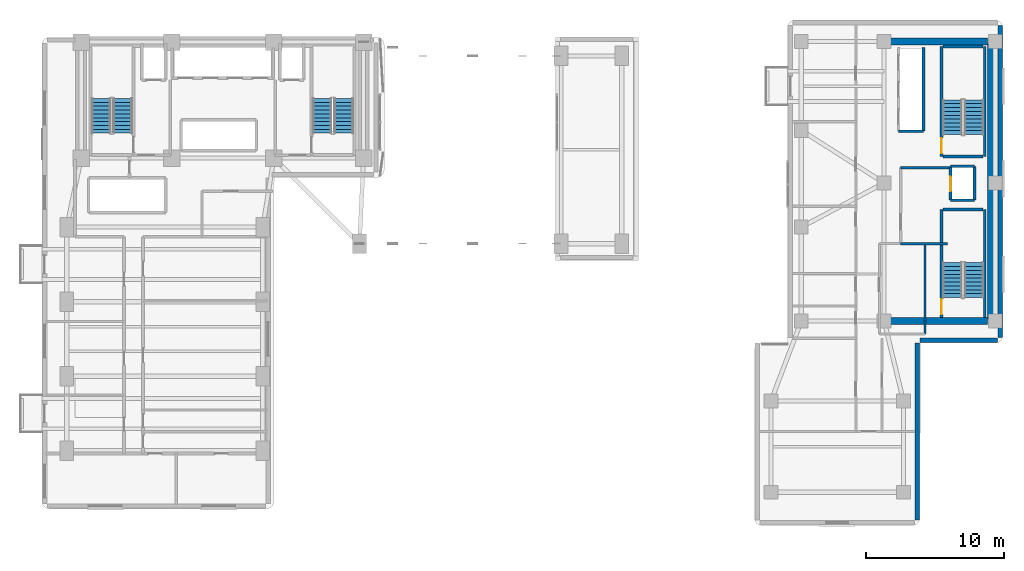
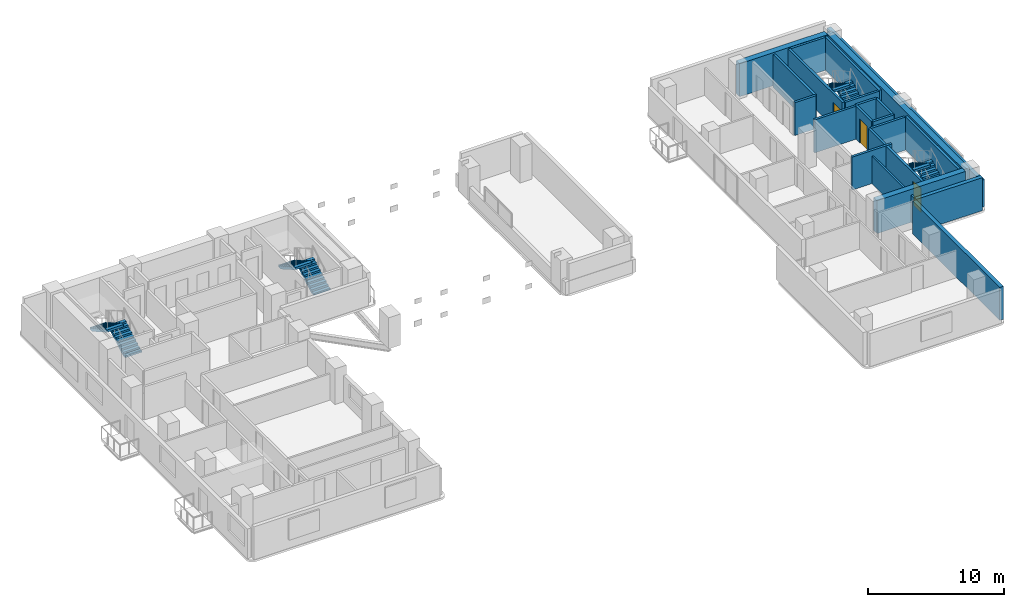
# One storey, part 11 of 14: 22 walls, 8 stair flights, 3 doors, 3 openings, 4 elements without a shape of their own.
"""IFC4 building model written with IfcOpenShell, lengths in metres."""

from ifc_helpers import new_model, si_unit, direction, frame, frame_2d, origin, place, context, subcontext, project, spatial, polyline, rectangle, outline, extrude, material, layer, layer_set, type_object, element, fill, aggregate, save


model = new_model("IFC4")

# Units and contexts
model_context = context("Model", 3, precision=1e-05, world=origin(), true_north=direction((0.0, 1.0)))
body_context = subcontext(model_context, "Body", "Model", "MODEL_VIEW")
ifc_project = project(units=[si_unit("LENGTHUNIT", "METRE"), si_unit("AREAUNIT", "SQUARE_METRE"), si_unit("VOLUMEUNIT", "CUBIC_METRE"), si_unit("PLANEANGLEUNIT", "RADIAN"), si_unit("MASSUNIT", "GRAM", prefix="KILO")], contexts=[model_context])

# Site, building, storey
site_placement = place(None, origin())
site = spatial("IfcSite", under=ifc_project, at=site_placement, CompositionType="ELEMENT")
building_placement = place(site_placement, origin())
building = spatial("IfcBuilding", under=site, at=building_placement, Name="Kuzgunbayir Cultural Tower", CompositionType="ELEMENT")
storey_placement = place(building_placement, frame((0.0, 0.0, 36.60009765625)))
storey = spatial("IfcBuildingStorey", under=building, at=storey_placement, Name="L09", CompositionType="ELEMENT", Elevation=36.60009765625)

# Walls
ifc_material_1 = material(Name="Travertine Buff Ashlar", Category="masonry")
ifc_layer_1 = layer(ifc_material_1, 0.320068359375)
ifc_layer_set_1 = layer_set([ifc_layer_1], Name="Travertine Buff Ashlar")
wall_type_1 = type_object("IfcWallType", Name="WAL-EXT-STONE-320", PredefinedType="STANDARD", material=ifc_layer_set_1)
wall_1_placement = place(storey_placement, frame((73.0, 20.800048828125, 0.0), z_axis=(0.0, 0.0, 1.0), x_axis=(0.0, 1.0, 0.0)))
element("IfcWall", 1, at=wall_1_placement, inside=storey, type_object=wall_type_1, Name="L09 Companion East Limestone Wall", PredefinedType="STANDARD", context=body_context, shape_type="SweptSolid", body=[
    extrude(rectangle(XDim=22.599853515625, YDim=0.320068359375, at=frame_2d((11.2998046875, 0.0))), origin(), (0.0, 0.0, 1.0), 2.449951171875),
])
wall_2_placement = place(storey_placement, frame((67.0, 7.60009765625, 0.0), z_axis=(0.0, 0.0, 1.0), x_axis=(0.0, 1.0, 0.0)))
element("IfcWall", 2, at=wall_2_placement, inside=storey, type_object=wall_type_1, Name="L09 Companion Wing B East Wall", PredefinedType="STANDARD", context=body_context, shape_type="SweptSolid", body=[
    extrude(rectangle(XDim=12.7998046875, YDim=0.320068359375, at=frame_2d((6.39990234375, 0.0))), origin(), (0.0, 0.0, 1.0), 2.9599609375),
])
wall_3_placement = place(storey_placement, frame((67.199951171875, 20.60009765625, 0.0), z_axis=(0.0, 0.0, 1.0), x_axis=(1.0, 0.0, 0.0)))
element("IfcWall", 3, at=wall_3_placement, inside=storey, type_object=wall_type_1, Name="L09 Companion South-East Link", PredefinedType="STANDARD", context=body_context, shape_type="SweptSolid", body=[
    extrude(rectangle(XDim=5.60009765625, YDim=0.320068359375, at=frame_2d((2.800048828125, 0.0))), origin(), (0.0, 0.0, 1.0), 2.9599609375),
])
ifc_material_2 = material(Name="Acoustic Double-Stud Drywall", Category="gypsum")
ifc_layer_2 = layer(ifc_material_2, 0.14990234375)
ifc_layer_set_2 = layer_set([ifc_layer_2], Name="Acoustic Double-Stud Drywall")
wall_type_2 = type_object("IfcWallType", Name="WAL-PART-ACOUSTIC-150", PredefinedType="PARTITIONING", material=ifc_layer_set_2)
wall_4_placement = place(storey_placement, frame((67.550048828125, 21.050048828125, 0.0), z_axis=(0.0, 0.0, 1.0), x_axis=(0.0, 1.0, 0.0)))
element("IfcWall", 4, at=wall_4_placement, inside=storey, type_object=wall_type_2, Name="L09 Companion Archive East Wall", PredefinedType="PARTITIONING", context=body_context, shape_type="SweptSolid", body=[
    extrude(rectangle(XDim=6.469970703125, YDim=0.14990234375, at=frame_2d((3.23486328125, 0.0))), origin(), (0.0, 0.0, 1.0), 2.449951171875),
])
ifc_material_3 = material(Name="Aerated Concrete Blockwork", Category="masonry")
ifc_layer_3 = layer(ifc_material_3, 0.199951171875)
ifc_layer_set_3 = layer_set([ifc_layer_3], Name="Aerated Concrete Blockwork")
wall_type_3 = type_object("IfcWallType", Name="WAL-PART-FIRE-200", PredefinedType="PARTITIONING", material=ifc_layer_set_3)
wall_5_placement = place(storey_placement, frame((65.800048828125, 33.10009765625, 0.0), z_axis=(0.0, 0.0, 1.0), x_axis=(1.0, 0.0, 0.0)))
element("IfcWall", 5, at=wall_5_placement, inside=storey, type_object=wall_type_3, Name="L09 FFL-3 Lobby North Fire Wall", PredefinedType="PARTITIONING", context=body_context, shape_type="SweptSolid", body=[
    extrude(rectangle(XDim=3.599853515625, YDim=0.199951171875, at=frame_2d((1.7998046875, 0.0))), origin(), (0.0, 0.0, 1.0), 2.9599609375),
])
wall_6_placement = place(storey_placement, frame((65.800048828125, 27.60009765625, 0.0), z_axis=(0.0, 0.0, 1.0), x_axis=(1.0, 0.0, 0.0)))
element("IfcWall", 6, at=wall_6_placement, inside=storey, type_object=wall_type_3, Name="L09 FFL-3 Lobby South Fire Wall", PredefinedType="PARTITIONING", context=body_context, shape_type="SweptSolid", body=[
    extrude(rectangle(XDim=3.39990234375, YDim=0.199951171875, at=frame_2d((1.699951171875, 0.0))), origin(), (0.0, 0.0, 1.0), 2.9599609375),
])
ifc_material_4 = material(Name="Concrete C40/50", Category="concrete")
ifc_layer_4 = layer(ifc_material_4, 0.199951171875)
ifc_layer_set_4 = layer_set([ifc_layer_4], Name="Concrete C40/50")
wall_type_4 = type_object("IfcWallType", Name="WAL-SHAFT-200", PredefinedType="MOVABLE", material=ifc_layer_set_4)
wall_7_placement = place(storey_placement, frame((67.449951171875, 35.75, 0.0), z_axis=(0.0, 0.0, 1.0), x_axis=(0.0, 1.0, 0.0)))
element("IfcWall", 7, at=wall_7_placement, inside=storey, type_object=wall_type_4, Name="L09 Companion Lift Shaft Back Wall", PredefinedType="MOVABLE", context=body_context, shape_type="SweptSolid", body=[
    extrude(rectangle(XDim=6.050048828125, YDim=0.199951171875, at=frame_2d((3.02490234375, 0.0))), origin(), (0.0, 0.0, 1.0), 2.9599609375),
])
wall_8_placement = place(storey_placement, frame((65.64990234375, 35.75, 0.0), z_axis=(0.0, 0.0, 1.0), x_axis=(1.0, 0.0, 0.0)))
element("IfcWall", 8, at=wall_8_placement, inside=storey, type_object=wall_type_4, Name="L09 Companion Lift Shaft South Wall", PredefinedType="MOVABLE", context=body_context, shape_type="SweptSolid", body=[
    extrude(rectangle(XDim=1.800048828125, YDim=0.199951171875, at=frame_2d((0.89990234375, 0.0))), origin(), (0.0, 0.0, 1.0), 2.9599609375),
])

# Wall, opening, door
wall_9_placement = place(storey_placement, frame((69.39990234375, 30.75, 0.0), z_axis=(0.0, 0.0, 1.0), x_axis=(0.0, 1.0, 0.0)))
wall_9 = element("IfcWall", 9, at=wall_9_placement, inside=storey, type_object=wall_type_4, Name="L09 FFL-3 Lift Front Wall", PredefinedType="MOVABLE", context=body_context, shape_type="SweptSolid", body=[
    extrude(rectangle(XDim=2.449951171875, YDim=0.199951171875, at=frame_2d((1.22509765625, 0.0))), origin(), (0.0, 0.0, 1.0), 2.9599609375),
])
opening_1_placement = place(wall_9_placement, frame((0.64990234375, 0.0, 0.0)))
opening_1 = element("IfcOpeningElement", 10, at=opening_1_placement, cuts=wall_9, Name="Opening LD", PredefinedType="OPENING", context=body_context, shape_type="SweptSolid", body=[
    extrude(rectangle(XDim=1.050048828125, YDim=2.14990234375, at=frame_2d((0.52490234375, 1.074951171875))), frame((0.0, 0.10986328125, 0.0), z_axis=(0.0, -1.0, 0.0), x_axis=(1.0, 0.0, 0.0)), (0.0, 0.0, 1.0), 0.219970703125),
])
ifc_material_5 = material(Name="Brushed Stainless Steel", Category="steel")
door_type_1 = type_object("IfcDoorType", Name="DR-LIFT-LANDING", OperationType="SLIDING_TO_LEFT", PredefinedType="DOOR", material=ifc_material_5)
door_1_placement = place(opening_1_placement, origin())
door_1 = element("IfcDoor", 11, at=door_1_placement, inside=storey, type_object=door_type_1, Name="L09 Lift FFL-3 Landing Door", OperationType="SLIDING_TO_LEFT", OverallHeight=2.14990234375, OverallWidth=1.050048828125, PredefinedType="DOOR", context=body_context, shape_type="SweptSolid", body=[
    extrude(rectangle(XDim=1.050048828125, YDim=2.14990234375, at=frame_2d((0.52490234375, 1.074951171875))), frame((0.0, 0.02490234375, 0.0), z_axis=(0.0, -1.0, 0.0), x_axis=(1.0, 0.0, 0.0)), (0.0, 0.0, 1.0), 0.050048828125),
])
fill(opening_1, door_1)

# Walls
wall_10_placement = place(storey_placement, frame((71.14990234375, 30.75, 0.0), z_axis=(0.0, 0.0, 1.0), x_axis=(0.0, 1.0, 0.0)))
element("IfcWall", 12, at=wall_10_placement, inside=storey, type_object=wall_type_4, Name="L09 FFL-3 Shaft Back Wall", PredefinedType="MOVABLE", context=body_context, shape_type="SweptSolid", body=[
    extrude(rectangle(XDim=2.449951171875, YDim=0.199951171875, at=frame_2d((1.22509765625, 0.0))), origin(), (0.0, 0.0, 1.0), 2.9599609375),
])
for number, where, z_axis, x_axis, name in (
    (13, (69.39990234375, 33.199951171875, 0.0), (0.0, 0.0, 1.0), (1.0, 0.0, 0.0), "L09 FFL-3 Shaft North Wall"),
    (14, (69.39990234375, 30.75, 0.0), (0.0, 0.0, 1.0), (1.0, 0.0, 0.0), "L09 FFL-3 Shaft South Wall"),
):
    element("IfcWall", number, at=place(storey_placement, frame(where, z_axis=z_axis, x_axis=x_axis)), inside=storey, type_object=wall_type_4, Name=name, PredefinedType="MOVABLE", context=body_context, shape_type="SweptSolid", body=[
        extrude(rectangle(XDim=1.75, YDim=0.199951171875, at=frame_2d((0.875, 0.0))), origin(), (0.0, 0.0, 1.0), 2.9599609375),
    ])

# Wall, opening, door
ifc_layer_5 = layer(ifc_material_4, 0.199951171875)
ifc_layer_set_5 = layer_set([ifc_layer_5], Name="Concrete C40/50")
wall_type_5 = type_object("IfcWallType", Name="WAL-STAIR-RC-200", PredefinedType="SHEAR", material=ifc_layer_set_5)
wall_11_placement = place(storey_placement, frame((68.760009765625, 22.260009765625, 0.0), z_axis=(0.0, 0.0, 1.0), x_axis=(0.0, 1.0, 0.0)))
wall_11 = element("IfcWall", 15, at=wall_11_placement, inside=storey, type_object=wall_type_5, Name="L09 Stair ST-3 West Structural Wall", PredefinedType="SHEAR", context=body_context, shape_type="SweptSolid", body=[
    extrude(rectangle(XDim=7.820068359375, YDim=0.199951171875, at=frame_2d((3.91015625, 0.0))), origin(), (0.0, 0.0, 1.0), 2.9599609375),
])
opening_2_placement = place(wall_11_placement, frame((0.219970703125, 0.0, 0.0)))
opening_2 = element("IfcOpeningElement", 16, at=opening_2_placement, cuts=wall_11, Name="Opening DR-STAIR-90", PredefinedType="OPENING", context=body_context, shape_type="SweptSolid", body=[
    extrude(rectangle(XDim=1.10009765625, YDim=2.14990234375, at=frame_2d((0.550048828125, 1.074951171875))), frame((0.0, 0.10986328125, 0.0), z_axis=(0.0, -1.0, 0.0), x_axis=(1.0, 0.0, 0.0)), (0.0, 0.0, 1.0), 0.219970703125),
])
ifc_material_6 = material(Name="Steel S355J2", Category="steel")
door_type_2 = type_object("IfcDoorType", Name="DR-STAIR-90", OperationType="NOTDEFINED", PredefinedType="DOOR", material=ifc_material_6)
door_2_placement = place(opening_2_placement, origin())
door_2 = element("IfcDoor", 17, at=door_2_placement, inside=storey, type_object=door_type_2, Name="L09 Stair ST-3 Fire Door", OperationType="SINGLE_SWING_LEFT", OverallHeight=2.14990234375, OverallWidth=1.10009765625, PredefinedType="DOOR", context=body_context, shape_type="SweptSolid", body=[
    extrude(rectangle(XDim=1.10009765625, YDim=2.14990234375, at=frame_2d((0.550048828125, 1.074951171875))), frame((0.0, 0.02490234375, 0.0), z_axis=(0.0, -1.0, 0.0), x_axis=(1.0, 0.0, 0.0)), (0.0, 0.0, 1.0), 0.050048828125),
])
fill(opening_2, door_2)

# Walls
wall_12_placement = place(storey_placement, frame((71.8798828125, 22.260009765625, 0.0), z_axis=(0.0, 0.0, 1.0), x_axis=(0.0, 1.0, 0.0)))
element("IfcWall", 18, at=wall_12_placement, inside=storey, type_object=wall_type_5, Name="L09 Stair ST-3 East Structural Wall", PredefinedType="SHEAR", context=body_context, shape_type="SweptSolid", body=[
    extrude(rectangle(XDim=7.820068359375, YDim=0.199951171875, at=frame_2d((3.91015625, 0.0))), origin(), (0.0, 0.0, 1.0), 2.9599609375),
])
wall_13_placement = place(storey_placement, frame((68.8798828125, 30.080078125, 0.0), z_axis=(0.0, 0.0, 1.0), x_axis=(1.0, 0.0, 0.0)))
element("IfcWall", 19, at=wall_13_placement, inside=storey, type_object=wall_type_5, Name="L09 Stair ST-3 North Structural Wall", PredefinedType="SHEAR", context=body_context, shape_type="SweptSolid", body=[
    extrude(rectangle(XDim=2.880126953125, YDim=0.199951171875, at=frame_2d((1.43994140625, 0.0))), origin(), (0.0, 0.0, 1.0), 2.9599609375),
])

# Wall, opening, door
wall_14_placement = place(storey_placement, frame((68.760009765625, 33.919921875, 0.0), z_axis=(0.0, 0.0, 1.0), x_axis=(0.0, 1.0, 0.0)))
wall_14 = element("IfcWall", 20, at=wall_14_placement, inside=storey, type_object=wall_type_5, Name="L09 Stair ST-4 West Structural Wall", PredefinedType="SHEAR", context=body_context, shape_type="SweptSolid", body=[
    extrude(rectangle(XDim=7.9599609375, YDim=0.199951171875, at=frame_2d((3.97998046875, 0.0))), origin(), (0.0, 0.0, 1.0), 2.9599609375),
])
opening_3_placement = place(wall_14_placement, frame((0.219970703125, 0.0, 0.0)))
opening_3 = element("IfcOpeningElement", 21, at=opening_3_placement, cuts=wall_14, Name="Opening DR-STAIR-90", PredefinedType="OPENING", context=body_context, shape_type="SweptSolid", body=[
    extrude(rectangle(XDim=1.10009765625, YDim=2.14990234375, at=frame_2d((0.550048828125, 1.074951171875))), frame((0.0, 0.10986328125, 0.0), z_axis=(0.0, -1.0, 0.0), x_axis=(1.0, 0.0, 0.0)), (0.0, 0.0, 1.0), 0.219970703125),
])
door_3_placement = place(opening_3_placement, origin())
door_3 = element("IfcDoor", 22, at=door_3_placement, inside=storey, type_object=door_type_2, Name="L09 Stair ST-4 Fire Door", OperationType="SINGLE_SWING_RIGHT", OverallHeight=2.14990234375, OverallWidth=1.10009765625, PredefinedType="DOOR", context=body_context, shape_type="SweptSolid", body=[
    extrude(rectangle(XDim=1.10009765625, YDim=2.14990234375, at=frame_2d((0.550048828125, 1.074951171875))), frame((0.0, 0.02490234375, 0.0), z_axis=(0.0, -1.0, 0.0), x_axis=(1.0, 0.0, 0.0)), (0.0, 0.0, 1.0), 0.050048828125),
])
fill(opening_3, door_3)

# Walls
wall_15_placement = place(storey_placement, frame((71.8798828125, 33.919921875, 0.0), z_axis=(0.0, 0.0, 1.0), x_axis=(0.0, 1.0, 0.0)))
element("IfcWall", 23, at=wall_15_placement, inside=storey, type_object=wall_type_5, Name="L09 Stair ST-4 East Structural Wall", PredefinedType="SHEAR", context=body_context, shape_type="SweptSolid", body=[
    extrude(rectangle(XDim=7.9599609375, YDim=0.199951171875, at=frame_2d((3.97998046875, 0.0))), origin(), (0.0, 0.0, 1.0), 2.9599609375),
])
for number, where, z_axis, x_axis, name in (
    (24, (68.8798828125, 41.8798828125, 0.0), (0.0, 0.0, 1.0), (1.0, 0.0, 0.0), "L09 Stair ST-4 North Structural Wall"),
    (25, (68.8798828125, 33.919921875, 0.0), (0.0, 0.0, 1.0), (1.0, 0.0, 0.0), "L09 Stair ST-4 South Structural Wall"),
):
    element("IfcWall", number, at=place(storey_placement, frame(where, z_axis=z_axis, x_axis=x_axis)), inside=storey, type_object=wall_type_5, Name=name, PredefinedType="SHEAR", context=body_context, shape_type="SweptSolid", body=[
        extrude(rectangle(XDim=2.880126953125, YDim=0.199951171875, at=frame_2d((1.43994140625, 0.0))), origin(), (0.0, 0.0, 1.0), 2.9599609375),
    ])
ifc_material_7 = material(Name="Concrete C60/75", Category="concrete")
ifc_layer_6 = layer(ifc_material_7, 0.5)
ifc_layer_set_6 = layer_set([ifc_layer_6], Name="Concrete C60/75")
wall_type_6 = type_object("IfcWallType", Name="WAL-T2-CORE-500", PredefinedType="SHEAR", material=ifc_layer_set_6)
wall_16_placement = place(storey_placement, frame((72.35009765625, 22.0, 0.0), z_axis=(0.0, 0.0, 1.0), x_axis=(0.0, 1.0, 0.0)))
element("IfcWall", 26, at=wall_16_placement, inside=storey, type_object=wall_type_6, Name="L09 Companion Core East Shear Wall", PredefinedType="SHEAR", context=body_context, shape_type="SweptSolid", body=[
    extrude(rectangle(XDim=20.25, YDim=0.5, at=frame_2d((10.125, 0.0))), origin(), (0.0, 0.0, 1.0), 2.9599609375),
])
for number, where, z_axis, x_axis, name in (
    (27, (64.60009765625, 42.25, 0.0), (0.0, 0.0, 1.0), (1.0, 0.0, 0.0), "L09 Companion Core North Shear Wall"),
    (28, (64.60009765625, 22.0, 0.0), (0.0, 0.0, 1.0), (1.0, 0.0, 0.0), "L09 Companion Core South Shear Wall"),
):
    element("IfcWall", number, at=place(storey_placement, frame(where, z_axis=z_axis, x_axis=x_axis)), inside=storey, type_object=wall_type_6, Name=name, PredefinedType="SHEAR", context=body_context, shape_type="SweptSolid", body=[
        extrude(rectangle(XDim=7.5, YDim=0.5, at=frame_2d((3.75, 0.0))), origin(), (0.0, 0.0, 1.0), 2.9599609375),
    ])

# Stair, stair flights
stair_type = type_object("IfcStairType", Name="STR-EXIT-CORE", PredefinedType="HALF_TURN_STAIR", material=ifc_material_4)
stair_1_placement = place(storey_placement, origin())
stair_1 = element("IfcStair", 29, at=stair_1_placement, inside=storey, type_object=stair_type, Name="L09 ST-1", PredefinedType="HALF_TURN_STAIR")
stair_flight_type = type_object("IfcStairFlightType", Name="STRF-RC-140", PredefinedType="STRAIGHT", material=ifc_material_4)
stair_flight_1_placement = place(storey_placement, frame((9.4599609375, 35.60009765625, 0.0), z_axis=(0.0, 0.0, 1.0), x_axis=(0.0, 1.0, 0.0)))
stair_flight_1 = element("IfcStairFlight", 30, at=stair_flight_1_placement, type_object=stair_flight_type, Name="ST-1 flight 1", NumberOfRisers=10, NumberOfTreads=9, PredefinedType="STRAIGHT", RiserHeight=0.16, TreadLength=0.28, context=body_context, shape_type="SweptSolid", body=[
    extrude(outline(polyline([(0.0, 0.0), (0.0, 0.159912109375), (0.280029296875, 0.159912109375), (0.280029296875, 0.320068359375), (0.56005859375, 0.320068359375), (0.56005859375, 0.47998046875), (0.840087890625, 0.47998046875), (0.840087890625, 0.639892578125), (1.1201171875, 0.639892578125), (1.1201171875, 0.800048828125), (1.39990234375, 0.800048828125), (1.39990234375, 0.9599609375), (1.679931640625, 0.9599609375), (1.679931640625, 1.1201171875), (1.9599609375, 1.1201171875), (1.9599609375, 1.280029296875), (2.239990234375, 1.280029296875), (2.239990234375, 1.43994140625), (2.52001953125, 1.43994140625), (2.52001953125, 1.60009765625), (2.52001953125, 1.232666015625), (0.362548828125, 0.0), (0.0, 0.0)])), frame((0.0, 0.699951171875, 0.0), z_axis=(0.0, -1.0, 0.0), x_axis=(1.0, 0.0, 0.0)), (0.0, 0.0, 1.0), 1.39990234375),
])
stair_flight_2_placement = place(storey_placement, frame((7.89990234375, 38.1201171875, 1.599853515625), z_axis=(0.0, 0.0, 1.0), x_axis=(0.0, -1.0, 0.0)))
stair_flight_2 = element("IfcStairFlight", 31, at=stair_flight_2_placement, type_object=stair_flight_type, Name="ST-1 flight 2", NumberOfRisers=10, NumberOfTreads=9, PredefinedType="STRAIGHT", RiserHeight=0.16, TreadLength=0.28, context=body_context, shape_type="SweptSolid", body=[
    extrude(outline(polyline([(0.0, 0.0), (0.0, 0.159912109375), (0.280029296875, 0.159912109375), (0.280029296875, 0.320068359375), (0.56005859375, 0.320068359375), (0.56005859375, 0.47998046875), (0.840087890625, 0.47998046875), (0.840087890625, 0.639892578125), (1.1201171875, 0.639892578125), (1.1201171875, 0.800048828125), (1.39990234375, 0.800048828125), (1.39990234375, 0.9599609375), (1.679931640625, 0.9599609375), (1.679931640625, 1.1201171875), (1.9599609375, 1.1201171875), (1.9599609375, 1.280029296875), (2.239990234375, 1.280029296875), (2.239990234375, 1.43994140625), (2.52001953125, 1.43994140625), (2.52001953125, 1.60009765625), (2.52001953125, 1.232666015625), (0.362548828125, 0.0), (0.0, 0.0)])), frame((0.0, 0.699951171875, 0.0), z_axis=(0.0, -1.0, 0.0), x_axis=(1.0, 0.0, 0.0)), (0.0, 0.0, 1.0), 1.39990234375),
])
aggregate(stair_1, [stair_flight_1, stair_flight_2])

stair_2_placement = place(storey_placement, origin())
stair_2 = element("IfcStair", 32, at=stair_2_placement, inside=storey, type_object=stair_type, Name="L09 ST-2", PredefinedType="HALF_TURN_STAIR")
stair_flight_3_placement = place(storey_placement, frame((25.4599609375, 35.60009765625, 0.0), z_axis=(0.0, 0.0, 1.0), x_axis=(0.0, 1.0, 0.0)))
stair_flight_3 = element("IfcStairFlight", 33, at=stair_flight_3_placement, type_object=stair_flight_type, Name="ST-2 flight 1", NumberOfRisers=10, NumberOfTreads=9, PredefinedType="STRAIGHT", RiserHeight=0.16, TreadLength=0.28, context=body_context, shape_type="SweptSolid", body=[
    extrude(outline(polyline([(0.0, 0.0), (0.0, 0.159912109375), (0.280029296875, 0.159912109375), (0.280029296875, 0.320068359375), (0.56005859375, 0.320068359375), (0.56005859375, 0.47998046875), (0.840087890625, 0.47998046875), (0.840087890625, 0.639892578125), (1.1201171875, 0.639892578125), (1.1201171875, 0.800048828125), (1.39990234375, 0.800048828125), (1.39990234375, 0.9599609375), (1.679931640625, 0.9599609375), (1.679931640625, 1.1201171875), (1.9599609375, 1.1201171875), (1.9599609375, 1.280029296875), (2.239990234375, 1.280029296875), (2.239990234375, 1.43994140625), (2.52001953125, 1.43994140625), (2.52001953125, 1.60009765625), (2.52001953125, 1.232666015625), (0.362548828125, 0.0), (0.0, 0.0)])), frame((0.0, 0.699951171875, 0.0), z_axis=(0.0, -1.0, 0.0), x_axis=(1.0, 0.0, 0.0)), (0.0, 0.0, 1.0), 1.39990234375),
])
stair_flight_4_placement = place(storey_placement, frame((23.89990234375, 38.1201171875, 1.599853515625), z_axis=(0.0, 0.0, 1.0), x_axis=(0.0, -1.0, 0.0)))
stair_flight_4 = element("IfcStairFlight", 34, at=stair_flight_4_placement, type_object=stair_flight_type, Name="ST-2 flight 2", NumberOfRisers=10, NumberOfTreads=9, PredefinedType="STRAIGHT", RiserHeight=0.16, TreadLength=0.28, context=body_context, shape_type="SweptSolid", body=[
    extrude(outline(polyline([(0.0, 0.0), (0.0, 0.159912109375), (0.280029296875, 0.159912109375), (0.280029296875, 0.320068359375), (0.56005859375, 0.320068359375), (0.56005859375, 0.47998046875), (0.840087890625, 0.47998046875), (0.840087890625, 0.639892578125), (1.1201171875, 0.639892578125), (1.1201171875, 0.800048828125), (1.39990234375, 0.800048828125), (1.39990234375, 0.9599609375), (1.679931640625, 0.9599609375), (1.679931640625, 1.1201171875), (1.9599609375, 1.1201171875), (1.9599609375, 1.280029296875), (2.239990234375, 1.280029296875), (2.239990234375, 1.43994140625), (2.52001953125, 1.43994140625), (2.52001953125, 1.60009765625), (2.52001953125, 1.232666015625), (0.362548828125, 0.0), (0.0, 0.0)])), frame((0.0, 0.699951171875, 0.0), z_axis=(0.0, -1.0, 0.0), x_axis=(1.0, 0.0, 0.0)), (0.0, 0.0, 1.0), 1.39990234375),
])
aggregate(stair_2, [stair_flight_3, stair_flight_4])

stair_3_placement = place(storey_placement, origin())
stair_3 = element("IfcStair", 35, at=stair_3_placement, inside=storey, type_object=stair_type, Name="L09 ST-3", PredefinedType="HALF_TURN_STAIR")
stair_flight_5_placement = place(storey_placement, frame((71.10009765625, 23.699951171875, 0.0), z_axis=(0.0, 0.0, 1.0), x_axis=(0.0, 1.0, 0.0)))
stair_flight_5 = element("IfcStairFlight", 36, at=stair_flight_5_placement, type_object=stair_flight_type, Name="ST-3 flight 1", NumberOfRisers=10, NumberOfTreads=9, PredefinedType="STRAIGHT", RiserHeight=0.16, TreadLength=0.28, context=body_context, shape_type="SweptSolid", body=[
    extrude(outline(polyline([(0.0, 0.0), (0.0, 0.159912109375), (0.280029296875, 0.159912109375), (0.280029296875, 0.320068359375), (0.56005859375, 0.320068359375), (0.56005859375, 0.47998046875), (0.840087890625, 0.47998046875), (0.840087890625, 0.639892578125), (1.1201171875, 0.639892578125), (1.1201171875, 0.800048828125), (1.39990234375, 0.800048828125), (1.39990234375, 0.9599609375), (1.679931640625, 0.9599609375), (1.679931640625, 1.1201171875), (1.9599609375, 1.1201171875), (1.9599609375, 1.280029296875), (2.239990234375, 1.280029296875), (2.239990234375, 1.43994140625), (2.52001953125, 1.43994140625), (2.52001953125, 1.60009765625), (2.52001953125, 1.232666015625), (0.362548828125, 0.0), (0.0, 0.0)])), frame((0.0, 0.699951171875, 0.0), z_axis=(0.0, -1.0, 0.0), x_axis=(1.0, 0.0, 0.0)), (0.0, 0.0, 1.0), 1.39990234375),
])
stair_flight_6_placement = place(storey_placement, frame((69.5400390625, 26.219970703125, 1.599853515625), z_axis=(0.0, 0.0, 1.0), x_axis=(0.0, -1.0, 0.0)))
stair_flight_6 = element("IfcStairFlight", 37, at=stair_flight_6_placement, type_object=stair_flight_type, Name="ST-3 flight 2", NumberOfRisers=10, NumberOfTreads=9, PredefinedType="STRAIGHT", RiserHeight=0.16, TreadLength=0.28, context=body_context, shape_type="SweptSolid", body=[
    extrude(outline(polyline([(0.0, 0.0), (0.0, 0.159912109375), (0.280029296875, 0.159912109375), (0.280029296875, 0.320068359375), (0.56005859375, 0.320068359375), (0.56005859375, 0.47998046875), (0.840087890625, 0.47998046875), (0.840087890625, 0.639892578125), (1.1201171875, 0.639892578125), (1.1201171875, 0.800048828125), (1.39990234375, 0.800048828125), (1.39990234375, 0.9599609375), (1.679931640625, 0.9599609375), (1.679931640625, 1.1201171875), (1.9599609375, 1.1201171875), (1.9599609375, 1.280029296875), (2.239990234375, 1.280029296875), (2.239990234375, 1.43994140625), (2.52001953125, 1.43994140625), (2.52001953125, 1.60009765625), (2.52001953125, 1.232666015625), (0.362548828125, 0.0), (0.0, 0.0)])), frame((0.0, 0.699951171875, 0.0), z_axis=(0.0, -1.0, 0.0), x_axis=(1.0, 0.0, 0.0)), (0.0, 0.0, 1.0), 1.39990234375),
])
aggregate(stair_3, [stair_flight_5, stair_flight_6])

stair_4_placement = place(storey_placement, origin())
stair_4 = element("IfcStair", 38, at=stair_4_placement, inside=storey, type_object=stair_type, Name="L09 ST-4", PredefinedType="HALF_TURN_STAIR")
stair_flight_7_placement = place(storey_placement, frame((71.10009765625, 35.5, 0.0), z_axis=(0.0, 0.0, 1.0), x_axis=(0.0, 1.0, 0.0)))
stair_flight_7 = element("IfcStairFlight", 39, at=stair_flight_7_placement, type_object=stair_flight_type, Name="ST-4 flight 1", NumberOfRisers=10, NumberOfTreads=9, PredefinedType="STRAIGHT", RiserHeight=0.16, TreadLength=0.28, context=body_context, shape_type="SweptSolid", body=[
    extrude(outline(polyline([(0.0, 0.0), (0.0, 0.159912109375), (0.280029296875, 0.159912109375), (0.280029296875, 0.320068359375), (0.56005859375, 0.320068359375), (0.56005859375, 0.47998046875), (0.840087890625, 0.47998046875), (0.840087890625, 0.639892578125), (1.1201171875, 0.639892578125), (1.1201171875, 0.800048828125), (1.39990234375, 0.800048828125), (1.39990234375, 0.9599609375), (1.679931640625, 0.9599609375), (1.679931640625, 1.1201171875), (1.9599609375, 1.1201171875), (1.9599609375, 1.280029296875), (2.239990234375, 1.280029296875), (2.239990234375, 1.43994140625), (2.52001953125, 1.43994140625), (2.52001953125, 1.60009765625), (2.52001953125, 1.232666015625), (0.362548828125, 0.0), (0.0, 0.0)])), frame((0.0, 0.699951171875, 0.0), z_axis=(0.0, -1.0, 0.0), x_axis=(1.0, 0.0, 0.0)), (0.0, 0.0, 1.0), 1.39990234375),
])
stair_flight_8_placement = place(storey_placement, frame((69.5400390625, 38.02001953125, 1.599853515625), z_axis=(0.0, 0.0, 1.0), x_axis=(0.0, -1.0, 0.0)))
stair_flight_8 = element("IfcStairFlight", 40, at=stair_flight_8_placement, type_object=stair_flight_type, Name="ST-4 flight 2", NumberOfRisers=10, NumberOfTreads=9, PredefinedType="STRAIGHT", RiserHeight=0.16, TreadLength=0.28, context=body_context, shape_type="SweptSolid", body=[
    extrude(outline(polyline([(0.0, 0.0), (0.0, 0.159912109375), (0.280029296875, 0.159912109375), (0.280029296875, 0.320068359375), (0.56005859375, 0.320068359375), (0.56005859375, 0.47998046875), (0.840087890625, 0.47998046875), (0.840087890625, 0.639892578125), (1.1201171875, 0.639892578125), (1.1201171875, 0.800048828125), (1.39990234375, 0.800048828125), (1.39990234375, 0.9599609375), (1.679931640625, 0.9599609375), (1.679931640625, 1.1201171875), (1.9599609375, 1.1201171875), (1.9599609375, 1.280029296875), (2.239990234375, 1.280029296875), (2.239990234375, 1.43994140625), (2.52001953125, 1.43994140625), (2.52001953125, 1.60009765625), (2.52001953125, 1.232666015625), (0.362548828125, 0.0), (0.0, 0.0)])), frame((0.0, 0.699951171875, 0.0), z_axis=(0.0, -1.0, 0.0), x_axis=(1.0, 0.0, 0.0)), (0.0, 0.0, 1.0), 1.39990234375),
])
aggregate(stair_4, [stair_flight_7, stair_flight_8])

save(model, "model.ifc")
